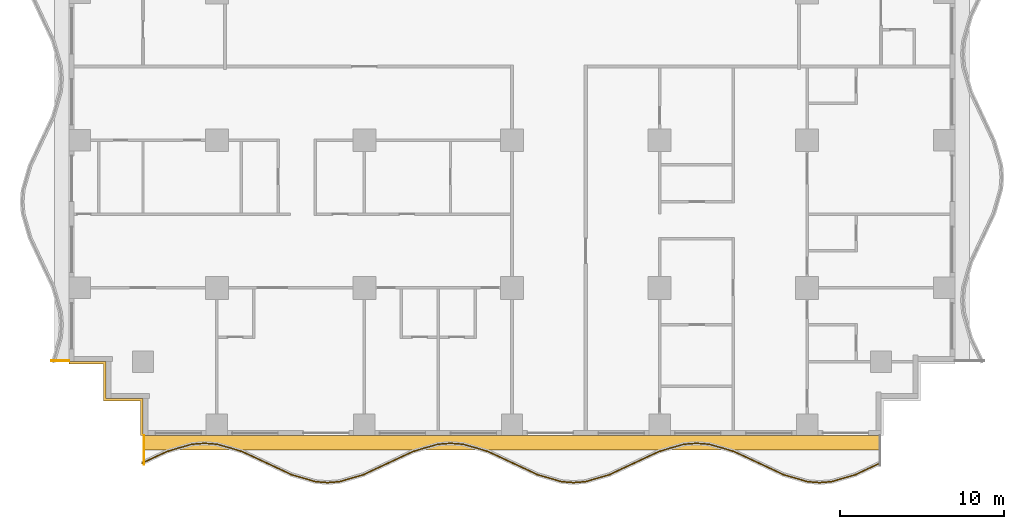
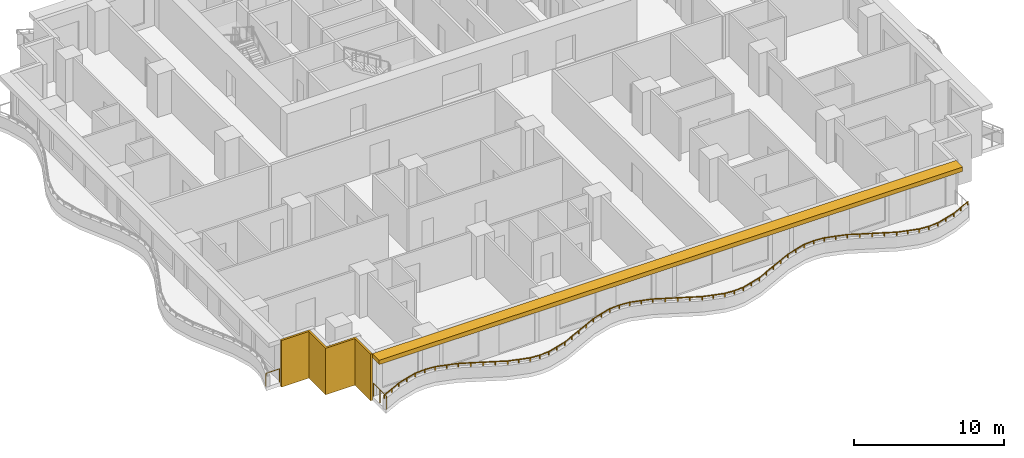
# One storey, part 7 of 13: 3 railings, 2 shading devices.
"""IFC4 building model written with IfcOpenShell, lengths in metres."""

from ifc_helpers import new_model, si_unit, direction, frame, origin, origin_2d, place, context, subcontext, project, spatial, polyline, rectangle, outline, extrude, material, layer, layer_set, type_object, element, save


model = new_model("IFC4")

# Units and contexts
model_context = context("Model", 3, precision=1e-05, world=origin(), true_north=direction((0.0, 1.0)))
body_context = subcontext(model_context, "Body", "Model", "MODEL_VIEW")
ifc_project = project(units=[si_unit("LENGTHUNIT", "METRE"), si_unit("AREAUNIT", "SQUARE_METRE"), si_unit("VOLUMEUNIT", "CUBIC_METRE"), si_unit("PLANEANGLEUNIT", "RADIAN"), si_unit("MASSUNIT", "GRAM", prefix="KILO")], contexts=[model_context])

# Site, building, storey
site_placement = place(None, origin())
site = spatial("IfcSite", under=ifc_project, at=site_placement, CompositionType="ELEMENT")
building_placement = place(site_placement, origin())
building = spatial("IfcBuilding", under=site, at=building_placement, Name="Orbiselva Terraces", CompositionType="ELEMENT")
storey_placement = place(building_placement, frame((0.0, 0.0, 92.2)))
storey = spatial("IfcBuildingStorey", under=building, at=storey_placement, Name="L23", CompositionType="ELEMENT", Elevation=92.2)

# Railings
ifc_material_1 = material(Name="Bonded two-ply safety glass balustrade, stainless steel posts", Category="steel")
railing_type_1 = type_object("IfcRailingType", Name="ENV-BALUSTRADE-1200", PredefinedType="BALUSTRADE", material=ifc_material_1)
railing_1_placement = place(storey_placement, frame((-22.553191, -24.186882, 0.9)))
element("IfcRailing", 1, at=railing_1_placement, inside=storey, type_object=railing_type_1, Name="Balcony balustrade L23 S", PredefinedType="BALUSTRADE", context=body_context, shape_type="SweptSolid", body=[
    extrude(outline(polyline([(0.028868, 0.0), (0.014434, 0.025), (-0.014434, 0.025), (-0.028868, 0.0), (-0.014434, -0.025), (0.014434, -0.025), (0.028868, 0.0)])), frame((0.0, 0.0, 0.275), z_axis=(0.904944157382, 0.425530342069, 0.0), x_axis=(-0.425530342069, 0.904944157382, 0.0)), (0.0, 0.0, 1.0), 1.667376),
    extrude(outline(polyline([(0.028868, 0.0), (0.014434, 0.025), (-0.014434, 0.025), (-0.028868, 0.0), (-0.014434, -0.025), (0.014434, -0.025), (0.028868, 0.0)])), frame((1.508882, 0.709519, 0.275), z_axis=(0.960270491427, 0.279070928786, 0.0), x_axis=(-0.279070928786, 0.960270491427, 0.0)), (0.0, 0.0, 1.0), 1.584712),
    extrude(outline(polyline([(0.028868, 0.0), (0.014434, 0.025), (-0.014434, 0.025), (-0.028868, 0.0), (-0.014434, -0.025), (0.014434, -0.025), (0.028868, 0.0)])), frame((3.030634, 1.151766, 0.275), z_axis=(0.996947796737, 0.078071061106, 0.0), x_axis=(-0.078071061106, 0.996947796737, 0.0)), (0.0, 0.0, 1.0), 0.774922),
    extrude(outline(polyline([(0.028868, 0.0), (0.014434, 0.025), (-0.014434, 0.025), (-0.028868, 0.0), (-0.014434, -0.025), (0.014434, -0.025), (0.028868, 0.0)])), frame((3.803191, 1.212265, 0.275), z_axis=(0.996947796737, -0.078071061106, 0.0), x_axis=(0.078071061106, 0.996947796737, 0.0)), (0.0, 0.0, 1.0), 0.774922),
    extrude(outline(polyline([(0.028868, 0.0), (0.014434, 0.025), (-0.014434, 0.025), (-0.028868, 0.0), (-0.014434, -0.025), (0.014434, -0.025), (0.028868, 0.0)])), frame((4.575748, 1.151766, 0.275), z_axis=(0.960270491427, -0.279070928786, 0.0), x_axis=(0.279070928786, 0.960270491427, 0.0)), (0.0, 0.0, 1.0), 1.584712),
    extrude(outline(polyline([(0.028868, 0.0), (0.014434, 0.025), (-0.014434, 0.025), (-0.028868, 0.0), (-0.014434, -0.025), (0.014434, -0.025), (0.028868, 0.0)])), frame((6.0975, 0.709519, 0.275), z_axis=(0.904944157382, -0.425530342069, 0.0), x_axis=(0.425530342069, 0.904944157382, 0.0)), (0.0, 0.0, 1.0), 1.667376),
    extrude(outline(polyline([(0.028868, 0.0), (0.014434, 0.025), (-0.014434, 0.025), (-0.028868, 0.0), (-0.014434, -0.025), (0.014434, -0.025), (0.028868, 0.0)])), frame((7.606382, 0.0, 0.275), z_axis=(0.904944359461, -0.425529912322, 0.0), x_axis=(0.425529912322, 0.904944359461, 0.0)), (0.0, 0.0, 1.0), 1.647746),
    extrude(outline(polyline([(0.028868, 0.0), (0.014434, 0.025), (-0.014434, 0.025), (-0.028868, 0.0), (-0.014434, -0.025), (0.014434, -0.025), (0.028868, 0.0)])), frame((9.0975, -0.701165, 0.275), z_axis=(0.960270317007, -0.279071528957, 0.0), x_axis=(0.279071528957, 0.960270317007, 0.0)), (0.0, 0.0, 1.0), 1.539408),
    extrude(outline(polyline([(0.028868, 0.0), (0.014434, 0.025), (-0.014434, 0.025), (-0.028868, 0.0), (-0.014434, -0.025), (0.014434, -0.025), (0.028868, 0.0)])), frame((10.575748, -1.13077, 0.275), z_axis=(0.996947916106, -0.078069536776, 0.0), x_axis=(0.078069536776, 0.996947916106, 0.0)), (0.0, 0.0, 1.0), 0.72967),
    extrude(outline(polyline([(0.028868, 0.0), (0.014434, 0.025), (-0.014434, 0.025), (-0.028868, 0.0), (-0.014434, -0.025), (0.014434, -0.025), (0.028868, 0.0)])), frame((11.303191, -1.187735, 0.275), z_axis=(0.996947916106, 0.078069536776, 0.0), x_axis=(-0.078069536776, 0.996947916106, 0.0)), (0.0, 0.0, 1.0), 0.72967),
    extrude(outline(polyline([(0.028868, 0.0), (0.014434, 0.025), (-0.014434, 0.025), (-0.028868, 0.0), (-0.014434, -0.025), (0.014434, -0.025), (0.028868, 0.0)])), frame((12.030634, -1.13077, 0.275), z_axis=(0.960270317007, 0.279071528957, 0.0), x_axis=(-0.279071528957, 0.960270317007, 0.0)), (0.0, 0.0, 1.0), 1.539408),
    extrude(outline(polyline([(0.028868, 0.0), (0.014434, 0.025), (-0.014434, 0.025), (-0.028868, 0.0), (-0.014434, -0.025), (0.014434, -0.025), (0.028868, 0.0)])), frame((13.508882, -0.701165, 0.275), z_axis=(0.904944359461, 0.425529912322, 0.0), x_axis=(-0.425529912322, 0.904944359461, 0.0)), (0.0, 0.0, 1.0), 1.647746),
    extrude(outline(polyline([(0.028868, 0.0), (0.014434, 0.025), (-0.014434, 0.025), (-0.028868, 0.0), (-0.014434, -0.025), (0.014434, -0.025), (0.028868, 0.0)])), frame((15.0, 0.0, 0.275), z_axis=(0.904944157382, 0.425530342069, 0.0), x_axis=(-0.425530342069, 0.904944157382, 0.0)), (0.0, 0.0, 1.0), 1.667376),
    extrude(outline(polyline([(0.028868, 0.0), (0.014434, 0.025), (-0.014434, 0.025), (-0.028868, 0.0), (-0.014434, -0.025), (0.014434, -0.025), (0.028868, 0.0)])), frame((16.508882, 0.709519, 0.275), z_axis=(0.960270491427, 0.279070928786, 0.0), x_axis=(-0.279070928786, 0.960270491427, 0.0)), (0.0, 0.0, 1.0), 1.584712),
    extrude(outline(polyline([(0.028868, 0.0), (0.014434, 0.025), (-0.014434, 0.025), (-0.028868, 0.0), (-0.014434, -0.025), (0.014434, -0.025), (0.028868, 0.0)])), frame((18.030634, 1.151766, 0.275), z_axis=(0.996947796737, 0.078071061106, 0.0), x_axis=(-0.078071061106, 0.996947796737, 0.0)), (0.0, 0.0, 1.0), 0.774922),
    extrude(outline(polyline([(0.028868, 0.0), (0.014434, 0.025), (-0.014434, 0.025), (-0.028868, 0.0), (-0.014434, -0.025), (0.014434, -0.025), (0.028868, 0.0)])), frame((18.803191, 1.212265, 0.275), z_axis=(0.996947796737, -0.078071061106, 0.0), x_axis=(0.078071061106, 0.996947796737, 0.0)), (0.0, 0.0, 1.0), 0.774922),
    extrude(outline(polyline([(0.028868, 0.0), (0.014434, 0.025), (-0.014434, 0.025), (-0.028868, 0.0), (-0.014434, -0.025), (0.014434, -0.025), (0.028868, 0.0)])), frame((19.575748, 1.151766, 0.275), z_axis=(0.960270491427, -0.279070928786, 0.0), x_axis=(0.279070928786, 0.960270491427, 0.0)), (0.0, 0.0, 1.0), 1.584712),
    extrude(outline(polyline([(0.028868, 0.0), (0.014434, 0.025), (-0.014434, 0.025), (-0.028868, 0.0), (-0.014434, -0.025), (0.014434, -0.025), (0.028868, 0.0)])), frame((21.0975, 0.709519, 0.275), z_axis=(0.904944157382, -0.425530342069, 0.0), x_axis=(0.425530342069, 0.904944157382, 0.0)), (0.0, 0.0, 1.0), 1.667376),
    extrude(outline(polyline([(0.028868, 0.0), (0.014434, 0.025), (-0.014434, 0.025), (-0.028868, 0.0), (-0.014434, -0.025), (0.014434, -0.025), (0.028868, 0.0)])), frame((22.606382, 0.0, 0.275), z_axis=(0.904944359461, -0.425529912322, 0.0), x_axis=(0.425529912322, 0.904944359461, 0.0)), (0.0, 0.0, 1.0), 1.647746),
    extrude(outline(polyline([(0.028868, 0.0), (0.014434, 0.025), (-0.014434, 0.025), (-0.028868, 0.0), (-0.014434, -0.025), (0.014434, -0.025), (0.028868, 0.0)])), frame((24.0975, -0.701165, 0.275), z_axis=(0.960270317007, -0.279071528957, 0.0), x_axis=(0.279071528957, 0.960270317007, 0.0)), (0.0, 0.0, 1.0), 1.539408),
    extrude(outline(polyline([(0.028868, 0.0), (0.014434, 0.025), (-0.014434, 0.025), (-0.028868, 0.0), (-0.014434, -0.025), (0.014434, -0.025), (0.028868, 0.0)])), frame((25.575748, -1.13077, 0.275), z_axis=(0.996947916106, -0.078069536776, 0.0), x_axis=(0.078069536776, 0.996947916106, 0.0)), (0.0, 0.0, 1.0), 0.72967),
    extrude(outline(polyline([(0.028868, 0.0), (0.014434, 0.025), (-0.014434, 0.025), (-0.028868, 0.0), (-0.014434, -0.025), (0.014434, -0.025), (0.028868, 0.0)])), frame((26.303191, -1.187735, 0.275), z_axis=(0.996947916106, 0.078069536776, 0.0), x_axis=(-0.078069536776, 0.996947916106, 0.0)), (0.0, 0.0, 1.0), 0.72967),
    extrude(outline(polyline([(0.028868, 0.0), (0.014434, 0.025), (-0.014434, 0.025), (-0.028868, 0.0), (-0.014434, -0.025), (0.014434, -0.025), (0.028868, 0.0)])), frame((27.030634, -1.13077, 0.275), z_axis=(0.960270317007, 0.279071528957, 0.0), x_axis=(-0.279071528957, 0.960270317007, 0.0)), (0.0, 0.0, 1.0), 1.539408),
    extrude(outline(polyline([(0.028868, 0.0), (0.014434, 0.025), (-0.014434, 0.025), (-0.028868, 0.0), (-0.014434, -0.025), (0.014434, -0.025), (0.028868, 0.0)])), frame((28.508882, -0.701165, 0.275), z_axis=(0.904944359461, 0.425529912322, 0.0), x_axis=(-0.425529912322, 0.904944359461, 0.0)), (0.0, 0.0, 1.0), 1.647746),
    extrude(outline(polyline([(0.028868, 0.0), (0.014434, 0.025), (-0.014434, 0.025), (-0.028868, 0.0), (-0.014434, -0.025), (0.014434, -0.025), (0.028868, 0.0)])), frame((30.0, 0.0, 0.275), z_axis=(0.904944157382, 0.425530342069, 0.0), x_axis=(-0.425530342069, 0.904944157382, 0.0)), (0.0, 0.0, 1.0), 1.667376),
    extrude(outline(polyline([(0.028868, 0.0), (0.014434, 0.025), (-0.014434, 0.025), (-0.028868, 0.0), (-0.014434, -0.025), (0.014434, -0.025), (0.028868, 0.0)])), frame((31.508882, 0.709519, 0.275), z_axis=(0.960270491427, 0.279070928786, 0.0), x_axis=(-0.279070928786, 0.960270491427, 0.0)), (0.0, 0.0, 1.0), 1.584712),
    extrude(outline(polyline([(0.028868, 0.0), (0.014434, 0.025), (-0.014434, 0.025), (-0.028868, 0.0), (-0.014434, -0.025), (0.014434, -0.025), (0.028868, 0.0)])), frame((33.030634, 1.151766, 0.275), z_axis=(0.996947796737, 0.078071061106, 0.0), x_axis=(-0.078071061106, 0.996947796737, 0.0)), (0.0, 0.0, 1.0), 0.774922),
    extrude(outline(polyline([(0.028868, 0.0), (0.014434, 0.025), (-0.014434, 0.025), (-0.028868, 0.0), (-0.014434, -0.025), (0.014434, -0.025), (0.028868, 0.0)])), frame((33.803191, 1.212265, 0.275), z_axis=(0.996947796737, -0.078071061106, 0.0), x_axis=(0.078071061106, 0.996947796737, 0.0)), (0.0, 0.0, 1.0), 0.774922),
    extrude(outline(polyline([(0.028868, 0.0), (0.014434, 0.025), (-0.014434, 0.025), (-0.028868, 0.0), (-0.014434, -0.025), (0.014434, -0.025), (0.028868, 0.0)])), frame((34.575748, 1.151766, 0.275), z_axis=(0.960270491427, -0.279070928786, 0.0), x_axis=(0.279070928786, 0.960270491427, 0.0)), (0.0, 0.0, 1.0), 1.584712),
    extrude(outline(polyline([(0.028868, 0.0), (0.014434, 0.025), (-0.014434, 0.025), (-0.028868, 0.0), (-0.014434, -0.025), (0.014434, -0.025), (0.028868, 0.0)])), frame((36.0975, 0.709519, 0.275), z_axis=(0.904944157382, -0.425530342069, 0.0), x_axis=(0.425530342069, 0.904944157382, 0.0)), (0.0, 0.0, 1.0), 1.667376),
    extrude(outline(polyline([(0.028868, 0.0), (0.014434, 0.025), (-0.014434, 0.025), (-0.028868, 0.0), (-0.014434, -0.025), (0.014434, -0.025), (0.028868, 0.0)])), frame((37.606382, 0.0, 0.275), z_axis=(0.904944359461, -0.425529912322, 0.0), x_axis=(0.425529912322, 0.904944359461, 0.0)), (0.0, 0.0, 1.0), 1.647746),
    extrude(outline(polyline([(0.028868, 0.0), (0.014434, 0.025), (-0.014434, 0.025), (-0.028868, 0.0), (-0.014434, -0.025), (0.014434, -0.025), (0.028868, 0.0)])), frame((39.0975, -0.701165, 0.275), z_axis=(0.960270317007, -0.279071528957, 0.0), x_axis=(0.279071528957, 0.960270317007, 0.0)), (0.0, 0.0, 1.0), 1.539408),
    extrude(outline(polyline([(0.028868, 0.0), (0.014434, 0.025), (-0.014434, 0.025), (-0.028868, 0.0), (-0.014434, -0.025), (0.014434, -0.025), (0.028868, 0.0)])), frame((40.575748, -1.13077, 0.275), z_axis=(0.996947916106, -0.078069536776, 0.0), x_axis=(0.078069536776, 0.996947916106, 0.0)), (0.0, 0.0, 1.0), 0.72967),
    extrude(outline(polyline([(0.028868, 0.0), (0.014434, 0.025), (-0.014434, 0.025), (-0.028868, 0.0), (-0.014434, -0.025), (0.014434, -0.025), (0.028868, 0.0)])), frame((41.303191, -1.187735, 0.275), z_axis=(0.996947916106, 0.078069536776, 0.0), x_axis=(-0.078069536776, 0.996947916106, 0.0)), (0.0, 0.0, 1.0), 0.72967),
    extrude(outline(polyline([(0.028868, 0.0), (0.014434, 0.025), (-0.014434, 0.025), (-0.028868, 0.0), (-0.014434, -0.025), (0.014434, -0.025), (0.028868, 0.0)])), frame((42.030634, -1.13077, 0.275), z_axis=(0.960270317007, 0.279071528957, 0.0), x_axis=(-0.279071528957, 0.960270317007, 0.0)), (0.0, 0.0, 1.0), 1.539408),
    extrude(outline(polyline([(0.028868, 0.0), (0.014434, 0.025), (-0.014434, 0.025), (-0.028868, 0.0), (-0.014434, -0.025), (0.014434, -0.025), (0.028868, 0.0)])), frame((43.508882, -0.701165, 0.275), z_axis=(0.904944359461, 0.425529912322, 0.0), x_axis=(-0.425529912322, 0.904944359461, 0.0)), (0.0, 0.0, 1.0), 1.647746),
    extrude(rectangle(XDim=0.05, YDim=0.05, at=origin_2d()), origin(), (0.0, 0.0, 1.0), 0.25),
    extrude(rectangle(XDim=0.05, YDim=0.05, at=origin_2d()), frame((0.754441, 0.35476, 0.0)), (0.0, 0.0, 1.0), 0.25),
    extrude(rectangle(XDim=0.05, YDim=0.05, at=origin_2d()), frame((1.508882, 0.709519, 0.0)), (0.0, 0.0, 1.0), 0.25),
    extrude(rectangle(XDim=0.05, YDim=0.05, at=origin_2d()), frame((2.269758, 0.930643, 0.0)), (0.0, 0.0, 1.0), 0.25),
    extrude(rectangle(XDim=0.05, YDim=0.05, at=origin_2d()), frame((3.030634, 1.151766, 0.0)), (0.0, 0.0, 1.0), 0.25),
    extrude(rectangle(XDim=0.05, YDim=0.05, at=origin_2d()), frame((3.803191, 1.212265, 0.0)), (0.0, 0.0, 1.0), 0.25),
    extrude(rectangle(XDim=0.05, YDim=0.05, at=origin_2d()), frame((4.575748, 1.151766, 0.0)), (0.0, 0.0, 1.0), 0.25),
    extrude(rectangle(XDim=0.05, YDim=0.05, at=origin_2d()), frame((5.336624, 0.930643, 0.0)), (0.0, 0.0, 1.0), 0.25),
    extrude(rectangle(XDim=0.05, YDim=0.05, at=origin_2d()), frame((6.0975, 0.709519, 0.0)), (0.0, 0.0, 1.0), 0.25),
    extrude(rectangle(XDim=0.05, YDim=0.05, at=origin_2d()), frame((6.851941, 0.35476, 0.0)), (0.0, 0.0, 1.0), 0.25),
    extrude(rectangle(XDim=0.05, YDim=0.05, at=origin_2d()), frame((7.606382, 0.0, 0.0)), (0.0, 0.0, 1.0), 0.25),
    extrude(rectangle(XDim=0.05, YDim=0.05, at=origin_2d()), frame((8.351941, -0.350582, 0.0)), (0.0, 0.0, 1.0), 0.25),
    extrude(rectangle(XDim=0.05, YDim=0.05, at=origin_2d()), frame((9.0975, -0.701165, 0.0)), (0.0, 0.0, 1.0), 0.25),
    extrude(rectangle(XDim=0.05, YDim=0.05, at=origin_2d()), frame((9.836624, -0.915967, 0.0)), (0.0, 0.0, 1.0), 0.25),
    extrude(rectangle(XDim=0.05, YDim=0.05, at=origin_2d()), frame((10.575748, -1.13077, 0.0)), (0.0, 0.0, 1.0), 0.25),
    extrude(rectangle(XDim=0.05, YDim=0.05, at=origin_2d()), frame((11.303191, -1.187735, 0.0)), (0.0, 0.0, 1.0), 0.25),
    extrude(rectangle(XDim=0.05, YDim=0.05, at=origin_2d()), frame((12.030634, -1.13077, 0.0)), (0.0, 0.0, 1.0), 0.25),
    extrude(rectangle(XDim=0.05, YDim=0.05, at=origin_2d()), frame((12.769758, -0.915967, 0.0)), (0.0, 0.0, 1.0), 0.25),
    extrude(rectangle(XDim=0.05, YDim=0.05, at=origin_2d()), frame((13.508882, -0.701165, 0.0)), (0.0, 0.0, 1.0), 0.25),
    extrude(rectangle(XDim=0.05, YDim=0.05, at=origin_2d()), frame((14.254441, -0.350582, 0.0)), (0.0, 0.0, 1.0), 0.25),
    extrude(rectangle(XDim=0.05, YDim=0.05, at=origin_2d()), frame((15.0, 0.0, 0.0)), (0.0, 0.0, 1.0), 0.25),
    extrude(rectangle(XDim=0.05, YDim=0.05, at=origin_2d()), frame((15.754441, 0.35476, 0.0)), (0.0, 0.0, 1.0), 0.25),
    extrude(rectangle(XDim=0.05, YDim=0.05, at=origin_2d()), frame((16.508882, 0.709519, 0.0)), (0.0, 0.0, 1.0), 0.25),
    extrude(rectangle(XDim=0.05, YDim=0.05, at=origin_2d()), frame((17.269758, 0.930643, 0.0)), (0.0, 0.0, 1.0), 0.25),
    extrude(rectangle(XDim=0.05, YDim=0.05, at=origin_2d()), frame((18.030634, 1.151766, 0.0)), (0.0, 0.0, 1.0), 0.25),
    extrude(rectangle(XDim=0.05, YDim=0.05, at=origin_2d()), frame((18.803191, 1.212265, 0.0)), (0.0, 0.0, 1.0), 0.25),
    extrude(rectangle(XDim=0.05, YDim=0.05, at=origin_2d()), frame((19.575748, 1.151766, 0.0)), (0.0, 0.0, 1.0), 0.25),
    extrude(rectangle(XDim=0.05, YDim=0.05, at=origin_2d()), frame((20.336624, 0.930643, 0.0)), (0.0, 0.0, 1.0), 0.25),
    extrude(rectangle(XDim=0.05, YDim=0.05, at=origin_2d()), frame((21.0975, 0.709519, 0.0)), (0.0, 0.0, 1.0), 0.25),
    extrude(rectangle(XDim=0.05, YDim=0.05, at=origin_2d()), frame((21.851941, 0.35476, 0.0)), (0.0, 0.0, 1.0), 0.25),
    extrude(rectangle(XDim=0.05, YDim=0.05, at=origin_2d()), frame((22.606382, 0.0, 0.0)), (0.0, 0.0, 1.0), 0.25),
    extrude(rectangle(XDim=0.05, YDim=0.05, at=origin_2d()), frame((23.351941, -0.350582, 0.0)), (0.0, 0.0, 1.0), 0.25),
    extrude(rectangle(XDim=0.05, YDim=0.05, at=origin_2d()), frame((24.0975, -0.701165, 0.0)), (0.0, 0.0, 1.0), 0.25),
    extrude(rectangle(XDim=0.05, YDim=0.05, at=origin_2d()), frame((24.836624, -0.915967, 0.0)), (0.0, 0.0, 1.0), 0.25),
    extrude(rectangle(XDim=0.05, YDim=0.05, at=origin_2d()), frame((25.575748, -1.13077, 0.0)), (0.0, 0.0, 1.0), 0.25),
    extrude(rectangle(XDim=0.05, YDim=0.05, at=origin_2d()), frame((26.303191, -1.187735, 0.0)), (0.0, 0.0, 1.0), 0.25),
    extrude(rectangle(XDim=0.05, YDim=0.05, at=origin_2d()), frame((27.030634, -1.13077, 0.0)), (0.0, 0.0, 1.0), 0.25),
    extrude(rectangle(XDim=0.05, YDim=0.05, at=origin_2d()), frame((27.769758, -0.915967, 0.0)), (0.0, 0.0, 1.0), 0.25),
    extrude(rectangle(XDim=0.05, YDim=0.05, at=origin_2d()), frame((28.508882, -0.701165, 0.0)), (0.0, 0.0, 1.0), 0.25),
    extrude(rectangle(XDim=0.05, YDim=0.05, at=origin_2d()), frame((29.254441, -0.350582, 0.0)), (0.0, 0.0, 1.0), 0.25),
    extrude(rectangle(XDim=0.05, YDim=0.05, at=origin_2d()), frame((30.0, 0.0, 0.0)), (0.0, 0.0, 1.0), 0.25),
    extrude(rectangle(XDim=0.05, YDim=0.05, at=origin_2d()), frame((30.754441, 0.35476, 0.0)), (0.0, 0.0, 1.0), 0.25),
    extrude(rectangle(XDim=0.05, YDim=0.05, at=origin_2d()), frame((31.508882, 0.709519, 0.0)), (0.0, 0.0, 1.0), 0.25),
    extrude(rectangle(XDim=0.05, YDim=0.05, at=origin_2d()), frame((32.269758, 0.930643, 0.0)), (0.0, 0.0, 1.0), 0.25),
    extrude(rectangle(XDim=0.05, YDim=0.05, at=origin_2d()), frame((33.030634, 1.151766, 0.0)), (0.0, 0.0, 1.0), 0.25),
    extrude(rectangle(XDim=0.05, YDim=0.05, at=origin_2d()), frame((33.803191, 1.212265, 0.0)), (0.0, 0.0, 1.0), 0.25),
    extrude(rectangle(XDim=0.05, YDim=0.05, at=origin_2d()), frame((34.575748, 1.151766, 0.0)), (0.0, 0.0, 1.0), 0.25),
    extrude(rectangle(XDim=0.05, YDim=0.05, at=origin_2d()), frame((35.336624, 0.930643, 0.0)), (0.0, 0.0, 1.0), 0.25),
    extrude(rectangle(XDim=0.05, YDim=0.05, at=origin_2d()), frame((36.0975, 0.709519, 0.0)), (0.0, 0.0, 1.0), 0.25),
    extrude(rectangle(XDim=0.05, YDim=0.05, at=origin_2d()), frame((36.851941, 0.35476, 0.0)), (0.0, 0.0, 1.0), 0.25),
    extrude(rectangle(XDim=0.05, YDim=0.05, at=origin_2d()), frame((37.606382, 0.0, 0.0)), (0.0, 0.0, 1.0), 0.25),
    extrude(rectangle(XDim=0.05, YDim=0.05, at=origin_2d()), frame((38.351941, -0.350582, 0.0)), (0.0, 0.0, 1.0), 0.25),
    extrude(rectangle(XDim=0.05, YDim=0.05, at=origin_2d()), frame((39.0975, -0.701165, 0.0)), (0.0, 0.0, 1.0), 0.25),
    extrude(rectangle(XDim=0.05, YDim=0.05, at=origin_2d()), frame((39.836624, -0.915967, 0.0)), (0.0, 0.0, 1.0), 0.25),
    extrude(rectangle(XDim=0.05, YDim=0.05, at=origin_2d()), frame((40.575748, -1.13077, 0.0)), (0.0, 0.0, 1.0), 0.25),
    extrude(rectangle(XDim=0.05, YDim=0.05, at=origin_2d()), frame((41.303191, -1.187735, 0.0)), (0.0, 0.0, 1.0), 0.25),
    extrude(rectangle(XDim=0.05, YDim=0.05, at=origin_2d()), frame((42.030634, -1.13077, 0.0)), (0.0, 0.0, 1.0), 0.25),
    extrude(rectangle(XDim=0.05, YDim=0.05, at=origin_2d()), frame((42.769758, -0.915967, 0.0)), (0.0, 0.0, 1.0), 0.25),
    extrude(rectangle(XDim=0.05, YDim=0.05, at=origin_2d()), frame((43.508882, -0.701165, 0.0)), (0.0, 0.0, 1.0), 0.25),
    extrude(rectangle(XDim=0.05, YDim=0.05, at=origin_2d()), frame((44.254441, -0.350582, 0.0)), (0.0, 0.0, 1.0), 0.25),
    extrude(rectangle(XDim=0.05, YDim=0.05, at=origin_2d()), frame((45.0, 0.0, 0.0)), (0.0, 0.0, 1.0), 0.25),
])
ifc_material_2 = material(Name="Stainless steel rail and posts", Category="steel")
railing_type_2 = type_object("IfcRailingType", Name="ENV-GUARD-1105", PredefinedType="BALUSTRADE", material=ifc_material_2)
railing_2_placement = place(storey_placement, frame((-22.44, -24.269844, 0.0)))
element("IfcRailing", 2, at=railing_2_placement, inside=storey, type_object=railing_type_2, Name="Balcony end guard L23 S", PredefinedType="BALUSTRADE", context=body_context, shape_type="SweptSolid", body=[
    extrude(outline(polyline([(0.028868, 0.0), (0.014434, 0.025), (-0.014434, 0.025), (-0.028868, 0.0), (-0.014434, -0.025), (0.014434, -0.025), (0.028868, 0.0)])), frame((0.0, 0.0, 1.08), z_axis=(0.0, 1.0, 0.0), x_axis=(-1.0, 0.0, 0.0)), (0.0, 0.0, 1.0), 1.744844),
    extrude(rectangle(XDim=0.05, YDim=0.05, at=origin_2d()), origin(), (0.0, 0.0, 1.0), 1.055),
    extrude(rectangle(XDim=0.05, YDim=0.05, at=origin_2d()), frame((0.0, 0.872422, 0.0)), (0.0, 0.0, 1.0), 1.055),
    extrude(rectangle(XDim=0.05, YDim=0.05, at=origin_2d()), frame((0.0, 1.744844, 0.0)), (0.0, 0.0, 1.0), 1.055),
])
railing_3_placement = place(storey_placement, frame((-28.070484, -17.94, 0.0)))
element("IfcRailing", 3, at=railing_3_placement, inside=storey, type_object=railing_type_2, Name="Balcony end guard L23 W", PredefinedType="BALUSTRADE", context=body_context, shape_type="SweptSolid", body=[
    extrude(outline(polyline([(0.028868, 0.0), (0.014434, 0.025), (-0.014434, 0.025), (-0.028868, 0.0), (-0.014434, -0.025), (0.014434, -0.025), (0.028868, 0.0)])), frame((0.0, 0.0, 1.08), z_axis=(1.0, 0.0, 0.0), x_axis=(0.0, 1.0, 0.0)), (0.0, 0.0, 1.0), 1.045484),
    extrude(rectangle(XDim=0.05, YDim=0.05, at=origin_2d()), origin(), (0.0, 0.0, 1.0), 1.055),
    extrude(rectangle(XDim=0.05, YDim=0.05, at=origin_2d()), frame((1.045484, 0.0, 0.0)), (0.0, 0.0, 1.0), 1.055),
])

# Shading devices
ifc_material_3 = material(Name="Terracotta louvre screen", Category="masonry")
ifc_layer_1 = layer(ifc_material_3, 0.15)
ifc_layer_set_1 = layer_set([ifc_layer_1], Name="Terracotta louvre screen")
shading_device_type_1 = type_object("IfcShadingDeviceType", Name="ENV-SCREEN-150", PredefinedType="USERDEFINED", material=ifc_layer_set_1)
shading_device_1_placement = place(storey_placement, frame((0.0, 0.0, -0.3)))
element("IfcShadingDevice", 4, at=shading_device_1_placement, inside=storey, type_object=shading_device_type_1, Name="Louvre screen L23 SW", ObjectType="SCREEN", PredefinedType="USERDEFINED", context=body_context, shape_type="SweptSolid", body=[
    extrude(outline(polyline([(-27.0, -18.15), (-24.9, -18.15), (-24.9, -20.4), (-22.65, -20.4), (-22.65, -22.5), (-22.5, -22.5), (-22.5, -20.25), (-24.75, -20.25), (-24.75, -18.0), (-27.0, -18.0), (-27.0, -18.15)])), origin(), (0.0, 0.0, 1.0), 3.8),
])
ifc_material_4 = material(Name="Terracotta baguette sunshade", Category="masonry")
ifc_layer_2 = layer(ifc_material_4, 0.35)
ifc_layer_set_2 = layer_set([ifc_layer_2], Name="Terracotta baguette sunshade")
shading_device_type_2 = type_object("IfcShadingDeviceType", Name="ENV-SUNSHADE-900x350", PredefinedType="USERDEFINED", material=ifc_layer_set_2)
shading_device_2_placement = place(storey_placement, frame((0.0, 0.0, 3.15)))
element("IfcShadingDevice", 5, at=shading_device_2_placement, inside=storey, type_object=shading_device_type_2, Name="Sunshade band L23 S", ObjectType="SUNSHADE", PredefinedType="USERDEFINED", context=body_context, shape_type="SweptSolid", body=[
    extrude(outline(polyline([(-22.5, -23.4), (22.5, -23.4), (22.5, -22.5), (-22.5, -22.5), (-22.5, -23.4)])), origin(), (0.0, 0.0, 1.0), 0.35),
])

save(model, "model.ifc")
